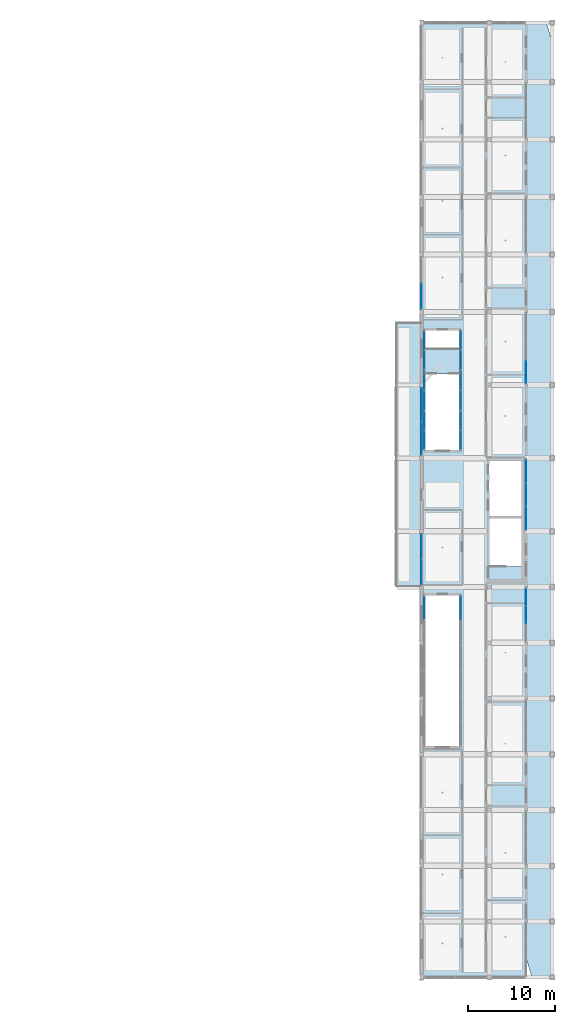
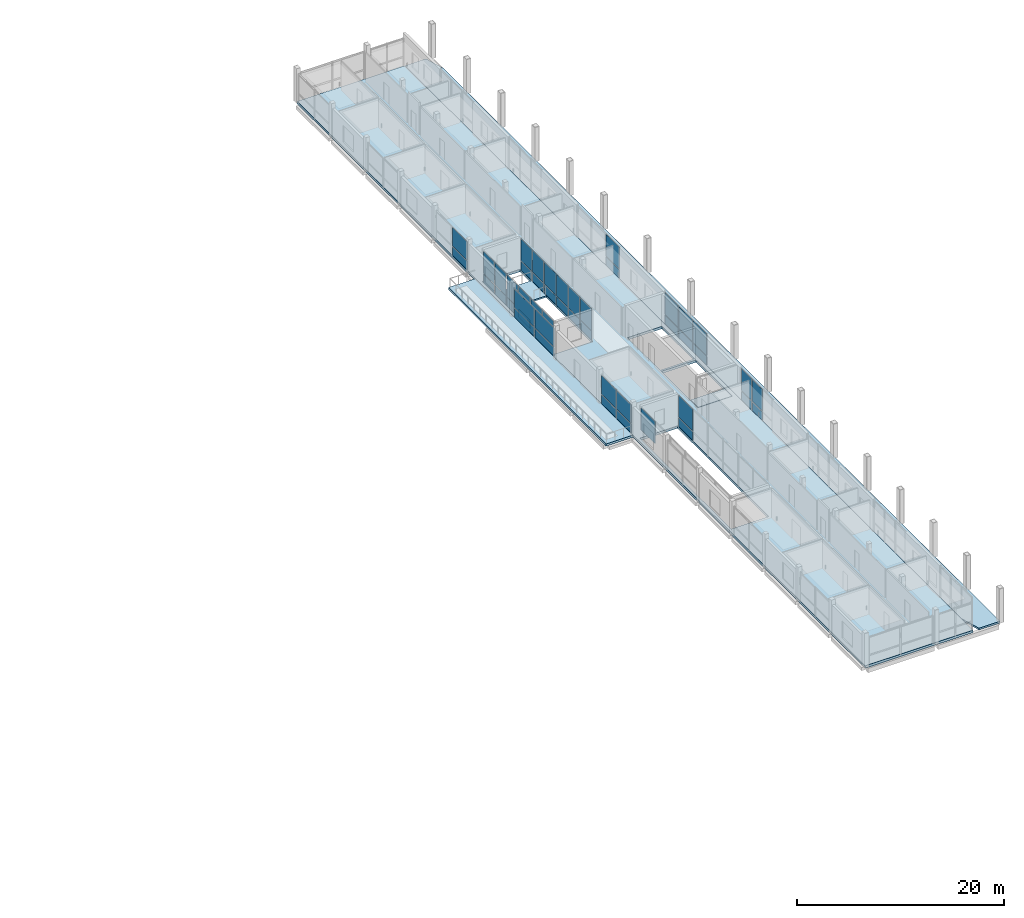
# One storey, part 20 of 48: 49 plates, 5 slabs, 14 elements without a shape of their own.
"""IFC4 building model written with IfcOpenShell, lengths in metres."""

from ifc_helpers import new_model, si_unit, derived_unit, direction, frame, origin, origin_2d, place, context, subcontext, project, spatial, polyline, rectangle, outline, extrude, material, layer, layer_set, type_object, element, aggregate, save


model = new_model("IFC4")

# Units and contexts
model_context = context("Model", 3, precision=1e-05, world=origin(), true_north=direction((0.0, 1.0)))
body_context = subcontext(model_context, "Body", "Model", "MODEL_VIEW")
ifc_project = project(units=[si_unit("LENGTHUNIT", "METRE"), si_unit("AREAUNIT", "SQUARE_METRE"), si_unit("VOLUMEUNIT", "CUBIC_METRE"), si_unit("PLANEANGLEUNIT", "RADIAN"), si_unit("MASSUNIT", "GRAM", prefix="KILO"), derived_unit("THERMALTRANSMITTANCEUNIT", [(si_unit("POWERUNIT", "WATT"), 1), (si_unit("LENGTHUNIT", "METRE"), -2), (si_unit("THERMODYNAMICTEMPERATUREUNIT", "KELVIN"), -1)])], contexts=[model_context])

# Site, building, storey
site_placement = place(None, origin())
site = spatial("IfcSite", under=ifc_project, at=site_placement, CompositionType="ELEMENT")
building_placement = place(site_placement, origin())
building = spatial("IfcBuilding", under=site, at=building_placement, Name="Braskholm Square Health Centre", CompositionType="ELEMENT")
storey_placement = place(building_placement, frame((0.0, 0.0, 17.550048828125)))
storey = spatial("IfcBuildingStorey", under=building, at=storey_placement, Name="L05", CompositionType="ELEMENT", Elevation=17.550048828125)

# Curtain wall, plates
ifc_material_1 = material(Name="Low-E triple insulating glass (VLT 0.64)", Category="glass")
curtain_wall_type_1 = type_object("IfcCurtainWallType", Name="UnitisedCurtainWall6200x3800", PredefinedType="NOTDEFINED", material=ifc_material_1)
curtain_wall_1_placement = place(storey_placement, origin())
curtain_wall_1 = element("IfcCurtainWall", 1, at=curtain_wall_1_placement, inside=storey, type_object=curtain_wall_type_1, Name="East Crown unitised curtain wall CW-L05-0079", PredefinedType="NOTDEFINED")
ifc_material_2 = material(Name="Architectural bronze anodised aluminium", Category="aluminium")
plate_type_1 = type_object("IfcPlateType", Name="CurtainPanelSpandrel1850x1020", PredefinedType="CURTAIN_PANEL", material=ifc_material_2)
plate_1_placement = place(storey_placement, frame((160.800048828125, 45.800048828125, 0.050048828125), z_axis=(0.0, 0.0, 1.0), x_axis=(0.0, 1.0, 0.0)))
plate_1 = element("IfcPlate", 2, at=plate_1_placement, type_object=plate_type_1, Name="CW-L05-0079 spandrel panel 2", PredefinedType="CURTAIN_PANEL", context=body_context, shape_type="SweptSolid", body=[
    extrude(rectangle(XDim=1.93017578125, YDim=0.035888671875, at=origin_2d()), origin(), (0.0, 0.0, 1.0), 1.02001953125),
])
plate_2_placement = place(storey_placement, frame((160.800048828125, 47.853271484375, 0.050048828125), z_axis=(0.0, 0.0, 1.0), x_axis=(0.0, 1.0, 0.0)))
plate_2 = element("IfcPlate", 3, at=plate_2_placement, type_object=plate_type_1, Name="CW-L05-0079 spandrel panel 3", PredefinedType="CURTAIN_PANEL", context=body_context, shape_type="SweptSolid", body=[
    extrude(rectangle(XDim=1.93017578125, YDim=0.035888671875, at=origin_2d()), origin(), (0.0, 0.0, 1.0), 1.02001953125),
])

curtain_wall_type_2 = type_object("IfcCurtainWallType", Name="UnitisedCurtainWall4800x3800", PredefinedType="NOTDEFINED", material=ifc_material_1)
curtain_wall_2_placement = place(storey_placement, origin())
curtain_wall_2 = element("IfcCurtainWall", 4, at=curtain_wall_2_placement, inside=storey, type_object=curtain_wall_type_2, Name="EC2 Court W unitised curtain wall CW-L05-0375", PredefinedType="NOTDEFINED")
plate_type_2 = type_object("IfcPlateType", Name="CurtainPanelSpandrel2150x1020", PredefinedType="CURTAIN_PANEL", material=ifc_material_2)
plate_3_placement = place(storey_placement, frame((149.10009765625, 65.884033203125, 0.050048828125), z_axis=(0.0, 0.0, 1.0), x_axis=(0.0, 1.0, 0.0)))
plate_3 = element("IfcPlate", 5, at=plate_3_placement, type_object=plate_type_2, Name="CW-L05-0375 spandrel panel 1", PredefinedType="CURTAIN_PANEL", context=body_context, shape_type="SweptSolid", body=[
    extrude(rectangle(XDim=2.125244140625, YDim=0.035888671875, at=origin_2d()), origin(), (0.0, 0.0, 1.0), 1.02001953125),
])
plate_4_placement = place(storey_placement, frame((149.10009765625, 68.117919921875, 0.050048828125), z_axis=(0.0, 0.0, 1.0), x_axis=(0.0, 1.0, 0.0)))
plate_4 = element("IfcPlate", 6, at=plate_4_placement, type_object=plate_type_2, Name="CW-L05-0375 spandrel panel 2", PredefinedType="CURTAIN_PANEL", context=body_context, shape_type="SweptSolid", body=[
    extrude(rectangle(XDim=2.125244140625, YDim=0.035888671875, at=origin_2d()), origin(), (0.0, 0.0, 1.0), 1.02001953125),
])

curtain_wall_3_placement = place(storey_placement, origin())
curtain_wall_3 = element("IfcCurtainWall", 7, at=curtain_wall_3_placement, inside=storey, type_object=curtain_wall_type_2, Name="EC2 Court E unitised curtain wall CW-L05-0376", PredefinedType="NOTDEFINED")
plate_5_placement = place(storey_placement, frame((153.300048828125, 68.117919921875, 0.050048828125), z_axis=(0.0, 0.0, 1.0), x_axis=(0.0, -1.0, 0.0)))
plate_5 = element("IfcPlate", 8, at=plate_5_placement, type_object=plate_type_2, Name="CW-L05-0376 spandrel panel 1", PredefinedType="CURTAIN_PANEL", context=body_context, shape_type="SweptSolid", body=[
    extrude(rectangle(XDim=2.125244140625, YDim=0.035888671875, at=origin_2d()), origin(), (0.0, 0.0, 1.0), 1.02001953125),
])
plate_6_placement = place(storey_placement, frame((153.300048828125, 65.884033203125, 0.050048828125), z_axis=(0.0, 0.0, 1.0), x_axis=(0.0, -1.0, 0.0)))
plate_6 = element("IfcPlate", 9, at=plate_6_placement, type_object=plate_type_2, Name="CW-L05-0376 spandrel panel 2", PredefinedType="CURTAIN_PANEL", context=body_context, shape_type="SweptSolid", body=[
    extrude(rectangle(XDim=2.125244140625, YDim=0.035888671875, at=origin_2d()), origin(), (0.0, 0.0, 1.0), 1.02001953125),
])

curtain_wall_4_placement = place(storey_placement, origin())
curtain_wall_4 = element("IfcCurtainWall", 10, at=curtain_wall_4_placement, inside=storey, type_object=curtain_wall_type_2, Name="EC2 Court W unitised curtain wall CW-L05-0377", PredefinedType="NOTDEFINED")
plate_7_placement = place(storey_placement, frame((149.10009765625, 70.449951171875, 0.050048828125), z_axis=(0.0, 0.0, 1.0), x_axis=(0.0, 1.0, 0.0)))
plate_7 = element("IfcPlate", 11, at=plate_7_placement, type_object=plate_type_2, Name="CW-L05-0377 spandrel panel 1", PredefinedType="CURTAIN_PANEL", context=body_context, shape_type="SweptSolid", body=[
    extrude(rectangle(XDim=2.188232421875, YDim=0.035888671875, at=origin_2d()), origin(), (0.0, 0.0, 1.0), 1.02001953125),
])
plate_8_placement = place(storey_placement, frame((149.10009765625, 72.75, 0.050048828125), z_axis=(0.0, 0.0, 1.0), x_axis=(0.0, 1.0, 0.0)))
plate_8 = element("IfcPlate", 12, at=plate_8_placement, type_object=plate_type_2, Name="CW-L05-0377 spandrel panel 2", PredefinedType="CURTAIN_PANEL", context=body_context, shape_type="SweptSolid", body=[
    extrude(rectangle(XDim=2.188232421875, YDim=0.035888671875, at=origin_2d()), origin(), (0.0, 0.0, 1.0), 1.02001953125),
])

curtain_wall_5_placement = place(storey_placement, origin())
curtain_wall_5 = element("IfcCurtainWall", 13, at=curtain_wall_5_placement, inside=storey, type_object=curtain_wall_type_2, Name="EC2 Court E unitised curtain wall CW-L05-0378", PredefinedType="NOTDEFINED")
plate_9_placement = place(storey_placement, frame((153.300048828125, 72.75, 0.050048828125), z_axis=(0.0, 0.0, 1.0), x_axis=(0.0, -1.0, 0.0)))
plate_9 = element("IfcPlate", 14, at=plate_9_placement, type_object=plate_type_2, Name="CW-L05-0378 spandrel panel 1", PredefinedType="CURTAIN_PANEL", context=body_context, shape_type="SweptSolid", body=[
    extrude(rectangle(XDim=2.188232421875, YDim=0.035888671875, at=origin_2d()), origin(), (0.0, 0.0, 1.0), 1.02001953125),
])
plate_10_placement = place(storey_placement, frame((153.300048828125, 70.449951171875, 0.050048828125), z_axis=(0.0, 0.0, 1.0), x_axis=(0.0, -1.0, 0.0)))
plate_10 = element("IfcPlate", 15, at=plate_10_placement, type_object=plate_type_2, Name="CW-L05-0378 spandrel panel 2", PredefinedType="CURTAIN_PANEL", context=body_context, shape_type="SweptSolid", body=[
    extrude(rectangle(XDim=2.188232421875, YDim=0.035888671875, at=origin_2d()), origin(), (0.0, 0.0, 1.0), 1.02001953125),
])

curtain_wall_6_placement = place(storey_placement, origin())
curtain_wall_6 = element("IfcCurtainWall", 16, at=curtain_wall_6_placement, inside=storey, type_object=curtain_wall_type_2, Name="EC2 Court W unitised curtain wall CW-L05-0379", PredefinedType="NOTDEFINED")
plate_11_placement = place(storey_placement, frame((149.10009765625, 75.08203125, 0.050048828125), z_axis=(0.0, 0.0, 1.0), x_axis=(0.0, 1.0, 0.0)))
plate_11 = element("IfcPlate", 17, at=plate_11_placement, type_object=plate_type_2, Name="CW-L05-0379 spandrel panel 1", PredefinedType="CURTAIN_PANEL", context=body_context, shape_type="SweptSolid", body=[
    extrude(rectangle(XDim=2.125244140625, YDim=0.035888671875, at=origin_2d()), origin(), (0.0, 0.0, 1.0), 1.02001953125),
])
plate_12_placement = place(storey_placement, frame((149.10009765625, 77.31591796875, 0.050048828125), z_axis=(0.0, 0.0, 1.0), x_axis=(0.0, 1.0, 0.0)))
plate_12 = element("IfcPlate", 18, at=plate_12_placement, type_object=plate_type_2, Name="CW-L05-0379 spandrel panel 2", PredefinedType="CURTAIN_PANEL", context=body_context, shape_type="SweptSolid", body=[
    extrude(rectangle(XDim=2.125244140625, YDim=0.035888671875, at=origin_2d()), origin(), (0.0, 0.0, 1.0), 1.02001953125),
])

curtain_wall_7_placement = place(storey_placement, origin())
curtain_wall_7 = element("IfcCurtainWall", 19, at=curtain_wall_7_placement, inside=storey, type_object=curtain_wall_type_2, Name="EC2 Court E unitised curtain wall CW-L05-0380", PredefinedType="NOTDEFINED")
plate_13_placement = place(storey_placement, frame((153.300048828125, 77.31591796875, 0.050048828125), z_axis=(0.0, 0.0, 1.0), x_axis=(0.0, -1.0, 0.0)))
plate_13 = element("IfcPlate", 20, at=plate_13_placement, type_object=plate_type_2, Name="CW-L05-0380 spandrel panel 1", PredefinedType="CURTAIN_PANEL", context=body_context, shape_type="SweptSolid", body=[
    extrude(rectangle(XDim=2.125244140625, YDim=0.035888671875, at=origin_2d()), origin(), (0.0, 0.0, 1.0), 1.02001953125),
])
plate_14_placement = place(storey_placement, frame((153.300048828125, 75.08203125, 0.050048828125), z_axis=(0.0, 0.0, 1.0), x_axis=(0.0, -1.0, 0.0)))
plate_14 = element("IfcPlate", 21, at=plate_14_placement, type_object=plate_type_2, Name="CW-L05-0380 spandrel panel 2", PredefinedType="CURTAIN_PANEL", context=body_context, shape_type="SweptSolid", body=[
    extrude(rectangle(XDim=2.125244140625, YDim=0.035888671875, at=origin_2d()), origin(), (0.0, 0.0, 1.0), 1.02001953125),
])

curtain_wall_8_placement = place(storey_placement, origin())
curtain_wall_8 = element("IfcCurtainWall", 22, at=curtain_wall_8_placement, inside=storey, type_object=curtain_wall_type_1, Name="East Crown unitised curtain wall CW-L05-0080", PredefinedType="NOTDEFINED")
plate_type_3 = type_object("IfcPlateType", Name="CurtainPanelSpandrel2750x1020", PredefinedType="CURTAIN_PANEL", material=ifc_material_2)
plate_15_placement = place(storey_placement, frame((160.800048828125, 56.8798828125, 0.050048828125), z_axis=(0.0, 0.0, 1.0), x_axis=(0.0, 1.0, 0.0)))
plate_15 = element("IfcPlate", 23, at=plate_15_placement, type_object=plate_type_3, Name="CW-L05-0080 spandrel panel 1", PredefinedType="CURTAIN_PANEL", context=body_context, shape_type="SweptSolid", body=[
    extrude(rectangle(XDim=2.556884765625, YDim=0.035888671875, at=origin_2d()), origin(), (0.0, 0.0, 1.0), 1.02001953125),
])
plate_16_placement = place(storey_placement, frame((160.800048828125, 59.60009765625, 0.050048828125), z_axis=(0.0, 0.0, 1.0), x_axis=(0.0, 1.0, 0.0)))
plate_16 = element("IfcPlate", 24, at=plate_16_placement, type_object=plate_type_3, Name="CW-L05-0080 spandrel panel 2", PredefinedType="CURTAIN_PANEL", context=body_context, shape_type="SweptSolid", body=[
    extrude(rectangle(XDim=2.556884765625, YDim=0.035888671875, at=origin_2d()), origin(), (0.0, 0.0, 1.0), 1.02001953125),
])
plate_17_placement = place(storey_placement, frame((160.800048828125, 62.320068359375, 0.050048828125), z_axis=(0.0, 0.0, 1.0), x_axis=(0.0, 1.0, 0.0)))
plate_17 = element("IfcPlate", 25, at=plate_17_placement, type_object=plate_type_3, Name="CW-L05-0080 spandrel panel 3", PredefinedType="CURTAIN_PANEL", context=body_context, shape_type="SweptSolid", body=[
    extrude(rectangle(XDim=2.556884765625, YDim=0.035888671875, at=origin_2d()), origin(), (0.0, 0.0, 1.0), 1.02001953125),
])

# Curtain wall, plate
curtain_wall_9_placement = place(storey_placement, origin())
curtain_wall_9 = element("IfcCurtainWall", 26, at=curtain_wall_9_placement, inside=storey, type_object=curtain_wall_type_1, Name="East Crown unitised curtain wall CW-L05-0081", PredefinedType="NOTDEFINED")
plate_18_placement = place(storey_placement, frame((160.800048828125, 73.679931640625, 0.050048828125), z_axis=(0.0, 0.0, 1.0), x_axis=(0.0, 1.0, 0.0)))
plate_18 = element("IfcPlate", 27, at=plate_18_placement, type_object=plate_type_3, Name="CW-L05-0081 spandrel panel 1", PredefinedType="CURTAIN_PANEL", context=body_context, shape_type="SweptSolid", body=[
    extrude(rectangle(XDim=2.556884765625, YDim=0.035888671875, at=origin_2d()), origin(), (0.0, 0.0, 1.0), 1.02001953125),
])

# Curtain wall, plates
curtain_wall_type_3 = type_object("IfcCurtainWallType", Name="UnitisedCurtainWall6200x3650", PredefinedType="NOTDEFINED", material=ifc_material_1)
curtain_wall_10_placement = place(storey_placement, origin())
curtain_wall_10 = element("IfcCurtainWall", 28, at=curtain_wall_10_placement, inside=storey, type_object=curtain_wall_type_3, Name="East Valley unitised curtain wall CW-L05-0140", PredefinedType="NOTDEFINED")
plate_19_placement = place(storey_placement, frame((148.800048828125, 53.662109375, 0.050048828125), z_axis=(0.0, 0.0, 1.0), x_axis=(0.0, -1.0, 0.0)))
plate_19 = element("IfcPlate", 29, at=plate_19_placement, type_object=plate_type_3, Name="CW-L05-0140 spandrel panel 1", PredefinedType="CURTAIN_PANEL", context=body_context, shape_type="SweptSolid", body=[
    extrude(rectangle(XDim=2.782470703125, YDim=0.035888671875, at=origin_2d()), origin(), (0.0, 0.0, 1.0), 1.02001953125),
])
plate_20_placement = place(storey_placement, frame((148.800048828125, 50.73779296875, 0.050048828125), z_axis=(0.0, 0.0, 1.0), x_axis=(0.0, -1.0, 0.0)))
plate_20 = element("IfcPlate", 30, at=plate_20_placement, type_object=plate_type_3, Name="CW-L05-0140 spandrel panel 2", PredefinedType="CURTAIN_PANEL", context=body_context, shape_type="SweptSolid", body=[
    extrude(rectangle(XDim=2.782470703125, YDim=0.035888671875, at=origin_2d()), origin(), (0.0, 0.0, 1.0), 1.02001953125),
])

# Curtain wall, plate
curtain_wall_11_placement = place(storey_placement, origin())
curtain_wall_11 = element("IfcCurtainWall", 31, at=curtain_wall_11_placement, inside=storey, type_object=curtain_wall_type_3, Name="East Valley unitised curtain wall CW-L05-0142", PredefinedType="NOTDEFINED")
plate_21_placement = place(storey_placement, frame((148.800048828125, 82.388427734375, 0.050048828125), z_axis=(0.0, 0.0, 1.0), x_axis=(0.0, -1.0, 0.0)))
plate_21 = element("IfcPlate", 32, at=plate_21_placement, type_object=plate_type_3, Name="CW-L05-0142 spandrel panel 2", PredefinedType="CURTAIN_PANEL", context=body_context, shape_type="SweptSolid", body=[
    extrude(rectangle(XDim=2.87646484375, YDim=0.035888671875, at=origin_2d()), origin(), (0.0, 0.0, 1.0), 1.02001953125),
])

curtain_wall_type_4 = type_object("IfcCurtainWallType", Name="UnitisedCurtainWall5400x3800", PredefinedType="NOTDEFINED", material=ifc_material_1)
curtain_wall_12_placement = place(storey_placement, origin())
curtain_wall_12 = element("IfcCurtainWall", 33, at=curtain_wall_12_placement, inside=storey, type_object=curtain_wall_type_4, Name="EC1 Court E unitised curtain wall CW-L05-0350", PredefinedType="NOTDEFINED")
plate_22_placement = place(storey_placement, frame((153.300048828125, 46.6123046875, 0.050048828125), z_axis=(0.0, 0.0, 1.0), x_axis=(0.0, -1.0, 0.0)))
plate_22 = element("IfcPlate", 34, at=plate_22_placement, type_object=plate_type_3, Name="CW-L05-0350 spandrel panel 1", PredefinedType="CURTAIN_PANEL", context=body_context, shape_type="SweptSolid", body=[
    extrude(rectangle(XDim=2.689208984375, YDim=0.035888671875, at=origin_2d()), origin(), (0.0, 0.0, 1.0), 1.02001953125),
])

# Curtain wall, plates
curtain_wall_13_placement = place(storey_placement, origin())
curtain_wall_13 = element("IfcCurtainWall", 35, at=curtain_wall_13_placement, inside=storey, type_object=curtain_wall_type_3, Name="East Valley unitised curtain wall CW-L05-0141", PredefinedType="NOTDEFINED")
plate_type_4 = type_object("IfcPlateType", Name="CurtainPanelSpandrel3150x1020", PredefinedType="CURTAIN_PANEL", material=ifc_material_2)
plate_23_placement = place(storey_placement, frame((148.800048828125, 69.956298828125, 0.050048828125), z_axis=(0.0, 0.0, 1.0), x_axis=(0.0, -1.0, 0.0)))
plate_23 = element("IfcPlate", 36, at=plate_23_placement, type_object=plate_type_4, Name="CW-L05-0141 spandrel panel 1", PredefinedType="CURTAIN_PANEL", context=body_context, shape_type="SweptSolid", body=[
    extrude(rectangle(XDim=3.722412109375, YDim=0.035888671875, at=origin_2d()), origin(), (0.0, 0.0, 1.0), 1.02001953125),
])
plate_24_placement = place(storey_placement, frame((148.800048828125, 66.043701171875, 0.050048828125), z_axis=(0.0, 0.0, 1.0), x_axis=(0.0, -1.0, 0.0)))
plate_24 = element("IfcPlate", 37, at=plate_24_placement, type_object=plate_type_4, Name="CW-L05-0141 spandrel panel 2", PredefinedType="CURTAIN_PANEL", context=body_context, shape_type="SweptSolid", body=[
    extrude(rectangle(XDim=3.722412109375, YDim=0.035888671875, at=origin_2d()), origin(), (0.0, 0.0, 1.0), 1.02001953125),
])

# Plate
plate_type_5 = type_object("IfcPlateType", Name="CurtainPanelVision1850x2520", PredefinedType="CURTAIN_PANEL", material=ifc_material_1)
plate_25_placement = place(storey_placement, frame((160.800048828125, 45.800048828125, 1.169921875), z_axis=(0.0, 0.0, 1.0), x_axis=(0.0, 1.0, 0.0)))
plate_25 = element("IfcPlate", 38, at=plate_25_placement, type_object=plate_type_5, Name="CW-L05-0079 vision glass panel 2", PredefinedType="CURTAIN_PANEL", context=body_context, shape_type="SweptSolid", body=[
    extrude(rectangle(XDim=1.93017578125, YDim=0.035888671875, at=origin_2d()), origin(), (0.0, 0.0, 1.0), 2.56005859375),
])

plate_26_placement = place(storey_placement, frame((160.800048828125, 47.853271484375, 1.169921875), z_axis=(0.0, 0.0, 1.0), x_axis=(0.0, 1.0, 0.0)))
plate_26 = element("IfcPlate", 39, at=plate_26_placement, type_object=plate_type_5, Name="CW-L05-0079 vision glass panel 3", PredefinedType="CURTAIN_PANEL", context=body_context, shape_type="SweptSolid", body=[
    extrude(rectangle(XDim=1.93017578125, YDim=0.035888671875, at=origin_2d()), origin(), (0.0, 0.0, 1.0), 2.56005859375),
])

aggregate(curtain_wall_1, [plate_1, plate_25, plate_2, plate_26])

plate_type_6 = type_object("IfcPlateType", Name="CurtainPanelVision2150x2520", PredefinedType="CURTAIN_PANEL", material=ifc_material_1)
plate_27_placement = place(storey_placement, frame((149.10009765625, 65.884033203125, 1.169921875), z_axis=(0.0, 0.0, 1.0), x_axis=(0.0, 1.0, 0.0)))
plate_27 = element("IfcPlate", 40, at=plate_27_placement, type_object=plate_type_6, Name="CW-L05-0375 vision glass panel 1", PredefinedType="CURTAIN_PANEL", context=body_context, shape_type="SweptSolid", body=[
    extrude(rectangle(XDim=2.125244140625, YDim=0.035888671875, at=origin_2d()), origin(), (0.0, 0.0, 1.0), 2.56005859375),
])

plate_28_placement = place(storey_placement, frame((149.10009765625, 68.117919921875, 1.169921875), z_axis=(0.0, 0.0, 1.0), x_axis=(0.0, 1.0, 0.0)))
plate_28 = element("IfcPlate", 41, at=plate_28_placement, type_object=plate_type_6, Name="CW-L05-0375 vision glass panel 2", PredefinedType="CURTAIN_PANEL", context=body_context, shape_type="SweptSolid", body=[
    extrude(rectangle(XDim=2.125244140625, YDim=0.035888671875, at=origin_2d()), origin(), (0.0, 0.0, 1.0), 2.56005859375),
])

aggregate(curtain_wall_2, [plate_3, plate_27, plate_4, plate_28])

plate_29_placement = place(storey_placement, frame((153.300048828125, 68.117919921875, 1.169921875), z_axis=(0.0, 0.0, 1.0), x_axis=(0.0, -1.0, 0.0)))
plate_29 = element("IfcPlate", 42, at=plate_29_placement, type_object=plate_type_6, Name="CW-L05-0376 vision glass panel 1", PredefinedType="CURTAIN_PANEL", context=body_context, shape_type="SweptSolid", body=[
    extrude(rectangle(XDim=2.125244140625, YDim=0.035888671875, at=origin_2d()), origin(), (0.0, 0.0, 1.0), 2.56005859375),
])

plate_30_placement = place(storey_placement, frame((153.300048828125, 65.884033203125, 1.169921875), z_axis=(0.0, 0.0, 1.0), x_axis=(0.0, -1.0, 0.0)))
plate_30 = element("IfcPlate", 43, at=plate_30_placement, type_object=plate_type_6, Name="CW-L05-0376 vision glass panel 2", PredefinedType="CURTAIN_PANEL", context=body_context, shape_type="SweptSolid", body=[
    extrude(rectangle(XDim=2.125244140625, YDim=0.035888671875, at=origin_2d()), origin(), (0.0, 0.0, 1.0), 2.56005859375),
])

aggregate(curtain_wall_3, [plate_5, plate_29, plate_6, plate_30])

plate_31_placement = place(storey_placement, frame((149.10009765625, 70.449951171875, 1.169921875), z_axis=(0.0, 0.0, 1.0), x_axis=(0.0, 1.0, 0.0)))
plate_31 = element("IfcPlate", 44, at=plate_31_placement, type_object=plate_type_6, Name="CW-L05-0377 vision glass panel 1", PredefinedType="CURTAIN_PANEL", context=body_context, shape_type="SweptSolid", body=[
    extrude(rectangle(XDim=2.188232421875, YDim=0.035888671875, at=origin_2d()), origin(), (0.0, 0.0, 1.0), 2.56005859375),
])

plate_32_placement = place(storey_placement, frame((149.10009765625, 72.75, 1.169921875), z_axis=(0.0, 0.0, 1.0), x_axis=(0.0, 1.0, 0.0)))
plate_32 = element("IfcPlate", 45, at=plate_32_placement, type_object=plate_type_6, Name="CW-L05-0377 vision glass panel 2", PredefinedType="CURTAIN_PANEL", context=body_context, shape_type="SweptSolid", body=[
    extrude(rectangle(XDim=2.188232421875, YDim=0.035888671875, at=origin_2d()), origin(), (0.0, 0.0, 1.0), 2.56005859375),
])

aggregate(curtain_wall_4, [plate_7, plate_31, plate_8, plate_32])

plate_33_placement = place(storey_placement, frame((153.300048828125, 72.75, 1.169921875), z_axis=(0.0, 0.0, 1.0), x_axis=(0.0, -1.0, 0.0)))
plate_33 = element("IfcPlate", 46, at=plate_33_placement, type_object=plate_type_6, Name="CW-L05-0378 vision glass panel 1", PredefinedType="CURTAIN_PANEL", context=body_context, shape_type="SweptSolid", body=[
    extrude(rectangle(XDim=2.188232421875, YDim=0.035888671875, at=origin_2d()), origin(), (0.0, 0.0, 1.0), 2.56005859375),
])

plate_34_placement = place(storey_placement, frame((153.300048828125, 70.449951171875, 1.169921875), z_axis=(0.0, 0.0, 1.0), x_axis=(0.0, -1.0, 0.0)))
plate_34 = element("IfcPlate", 47, at=plate_34_placement, type_object=plate_type_6, Name="CW-L05-0378 vision glass panel 2", PredefinedType="CURTAIN_PANEL", context=body_context, shape_type="SweptSolid", body=[
    extrude(rectangle(XDim=2.188232421875, YDim=0.035888671875, at=origin_2d()), origin(), (0.0, 0.0, 1.0), 2.56005859375),
])

aggregate(curtain_wall_5, [plate_9, plate_33, plate_10, plate_34])

plate_35_placement = place(storey_placement, frame((149.10009765625, 75.08203125, 1.169921875), z_axis=(0.0, 0.0, 1.0), x_axis=(0.0, 1.0, 0.0)))
plate_35 = element("IfcPlate", 48, at=plate_35_placement, type_object=plate_type_6, Name="CW-L05-0379 vision glass panel 1", PredefinedType="CURTAIN_PANEL", context=body_context, shape_type="SweptSolid", body=[
    extrude(rectangle(XDim=2.125244140625, YDim=0.035888671875, at=origin_2d()), origin(), (0.0, 0.0, 1.0), 2.56005859375),
])

plate_36_placement = place(storey_placement, frame((149.10009765625, 77.31591796875, 1.169921875), z_axis=(0.0, 0.0, 1.0), x_axis=(0.0, 1.0, 0.0)))
plate_36 = element("IfcPlate", 49, at=plate_36_placement, type_object=plate_type_6, Name="CW-L05-0379 vision glass panel 2", PredefinedType="CURTAIN_PANEL", context=body_context, shape_type="SweptSolid", body=[
    extrude(rectangle(XDim=2.125244140625, YDim=0.035888671875, at=origin_2d()), origin(), (0.0, 0.0, 1.0), 2.56005859375),
])

aggregate(curtain_wall_6, [plate_11, plate_35, plate_12, plate_36])

plate_37_placement = place(storey_placement, frame((153.300048828125, 77.31591796875, 1.169921875), z_axis=(0.0, 0.0, 1.0), x_axis=(0.0, -1.0, 0.0)))
plate_37 = element("IfcPlate", 50, at=plate_37_placement, type_object=plate_type_6, Name="CW-L05-0380 vision glass panel 1", PredefinedType="CURTAIN_PANEL", context=body_context, shape_type="SweptSolid", body=[
    extrude(rectangle(XDim=2.125244140625, YDim=0.035888671875, at=origin_2d()), origin(), (0.0, 0.0, 1.0), 2.56005859375),
])

plate_38_placement = place(storey_placement, frame((153.300048828125, 75.08203125, 1.169921875), z_axis=(0.0, 0.0, 1.0), x_axis=(0.0, -1.0, 0.0)))
plate_38 = element("IfcPlate", 51, at=plate_38_placement, type_object=plate_type_6, Name="CW-L05-0380 vision glass panel 2", PredefinedType="CURTAIN_PANEL", context=body_context, shape_type="SweptSolid", body=[
    extrude(rectangle(XDim=2.125244140625, YDim=0.035888671875, at=origin_2d()), origin(), (0.0, 0.0, 1.0), 2.56005859375),
])

aggregate(curtain_wall_7, [plate_13, plate_37, plate_14, plate_38])

plate_type_7 = type_object("IfcPlateType", Name="CurtainPanelVision2750x2120", PredefinedType="CURTAIN_PANEL", material=ifc_material_1)
plate_39_placement = place(storey_placement, frame((148.800048828125, 53.662109375, 1.169921875), z_axis=(0.0, 0.0, 1.0), x_axis=(0.0, -1.0, 0.0)))
plate_39 = element("IfcPlate", 52, at=plate_39_placement, type_object=plate_type_7, Name="CW-L05-0140 vision glass panel 1", PredefinedType="CURTAIN_PANEL", context=body_context, shape_type="SweptSolid", body=[
    extrude(rectangle(XDim=2.782470703125, YDim=0.035888671875, at=origin_2d()), origin(), (0.0, 0.0, 1.0), 2.179931640625),
])

plate_40_placement = place(storey_placement, frame((148.800048828125, 50.73779296875, 1.169921875), z_axis=(0.0, 0.0, 1.0), x_axis=(0.0, -1.0, 0.0)))
plate_40 = element("IfcPlate", 53, at=plate_40_placement, type_object=plate_type_7, Name="CW-L05-0140 vision glass panel 2", PredefinedType="CURTAIN_PANEL", context=body_context, shape_type="SweptSolid", body=[
    extrude(rectangle(XDim=2.782470703125, YDim=0.035888671875, at=origin_2d()), origin(), (0.0, 0.0, 1.0), 2.179931640625),
])

aggregate(curtain_wall_10, [plate_19, plate_39, plate_20, plate_40])

plate_41_placement = place(storey_placement, frame((148.800048828125, 82.388427734375, 1.169921875), z_axis=(0.0, 0.0, 1.0), x_axis=(0.0, -1.0, 0.0)))
plate_41 = element("IfcPlate", 54, at=plate_41_placement, type_object=plate_type_7, Name="CW-L05-0142 vision glass panel 2", PredefinedType="CURTAIN_PANEL", context=body_context, shape_type="SweptSolid", body=[
    extrude(rectangle(XDim=2.87646484375, YDim=0.035888671875, at=origin_2d()), origin(), (0.0, 0.0, 1.0), 2.179931640625),
])

aggregate(curtain_wall_11, [plate_21, plate_41])

plate_type_8 = type_object("IfcPlateType", Name="CurtainPanelVision2750x2520", PredefinedType="CURTAIN_PANEL", material=ifc_material_1)
plate_42_placement = place(storey_placement, frame((160.800048828125, 56.8798828125, 1.169921875), z_axis=(0.0, 0.0, 1.0), x_axis=(0.0, 1.0, 0.0)))
plate_42 = element("IfcPlate", 55, at=plate_42_placement, type_object=plate_type_8, Name="CW-L05-0080 vision glass panel 1", PredefinedType="CURTAIN_PANEL", context=body_context, shape_type="SweptSolid", body=[
    extrude(rectangle(XDim=2.556884765625, YDim=0.035888671875, at=origin_2d()), origin(), (0.0, 0.0, 1.0), 2.56005859375),
])

plate_43_placement = place(storey_placement, frame((160.800048828125, 59.60009765625, 1.169921875), z_axis=(0.0, 0.0, 1.0), x_axis=(0.0, 1.0, 0.0)))
plate_43 = element("IfcPlate", 56, at=plate_43_placement, type_object=plate_type_8, Name="CW-L05-0080 vision glass panel 2", PredefinedType="CURTAIN_PANEL", context=body_context, shape_type="SweptSolid", body=[
    extrude(rectangle(XDim=2.556884765625, YDim=0.035888671875, at=origin_2d()), origin(), (0.0, 0.0, 1.0), 2.56005859375),
])

plate_44_placement = place(storey_placement, frame((160.800048828125, 62.320068359375, 1.169921875), z_axis=(0.0, 0.0, 1.0), x_axis=(0.0, 1.0, 0.0)))
plate_44 = element("IfcPlate", 57, at=plate_44_placement, type_object=plate_type_8, Name="CW-L05-0080 vision glass panel 3", PredefinedType="CURTAIN_PANEL", context=body_context, shape_type="SweptSolid", body=[
    extrude(rectangle(XDim=2.556884765625, YDim=0.035888671875, at=origin_2d()), origin(), (0.0, 0.0, 1.0), 2.56005859375),
])

aggregate(curtain_wall_8, [plate_15, plate_42, plate_16, plate_43, plate_17, plate_44])

plate_45_placement = place(storey_placement, frame((160.800048828125, 73.679931640625, 1.169921875), z_axis=(0.0, 0.0, 1.0), x_axis=(0.0, 1.0, 0.0)))
plate_45 = element("IfcPlate", 58, at=plate_45_placement, type_object=plate_type_8, Name="CW-L05-0081 vision glass panel 1", PredefinedType="CURTAIN_PANEL", context=body_context, shape_type="SweptSolid", body=[
    extrude(rectangle(XDim=2.556884765625, YDim=0.035888671875, at=origin_2d()), origin(), (0.0, 0.0, 1.0), 2.56005859375),
])

aggregate(curtain_wall_9, [plate_18, plate_45])

# Curtain wall, plate
curtain_wall_14_placement = place(storey_placement, origin())
curtain_wall_14 = element("IfcCurtainWall", 59, at=curtain_wall_14_placement, inside=storey, type_object=curtain_wall_type_4, Name="EC1 Court W unitised curtain wall CW-L05-0349", PredefinedType="NOTDEFINED")
plate_46_placement = place(storey_placement, frame((149.10009765625, 46.6123046875, 1.169921875), z_axis=(0.0, 0.0, 1.0), x_axis=(0.0, 1.0, 0.0)))
plate_46 = element("IfcPlate", 60, at=plate_46_placement, type_object=plate_type_8, Name="CW-L05-0349 vision glass panel 2", PredefinedType="CURTAIN_PANEL", context=body_context, shape_type="SweptSolid", body=[
    extrude(rectangle(XDim=2.689208984375, YDim=0.035888671875, at=origin_2d()), origin(), (0.0, 0.0, 1.0), 2.56005859375),
])
aggregate(curtain_wall_14, [plate_46])

# Plate
plate_47_placement = place(storey_placement, frame((153.300048828125, 46.6123046875, 1.169921875), z_axis=(0.0, 0.0, 1.0), x_axis=(0.0, -1.0, 0.0)))
plate_47 = element("IfcPlate", 61, at=plate_47_placement, type_object=plate_type_8, Name="CW-L05-0350 vision glass panel 1", PredefinedType="CURTAIN_PANEL", context=body_context, shape_type="SweptSolid", body=[
    extrude(rectangle(XDim=2.689208984375, YDim=0.035888671875, at=origin_2d()), origin(), (0.0, 0.0, 1.0), 2.56005859375),
])

aggregate(curtain_wall_12, [plate_22, plate_47])

plate_type_9 = type_object("IfcPlateType", Name="CurtainPanelVision3150x2120", PredefinedType="CURTAIN_PANEL", material=ifc_material_1)
plate_48_placement = place(storey_placement, frame((148.800048828125, 69.956298828125, 1.169921875), z_axis=(0.0, 0.0, 1.0), x_axis=(0.0, -1.0, 0.0)))
plate_48 = element("IfcPlate", 62, at=plate_48_placement, type_object=plate_type_9, Name="CW-L05-0141 vision glass panel 1", PredefinedType="CURTAIN_PANEL", context=body_context, shape_type="SweptSolid", body=[
    extrude(rectangle(XDim=3.722412109375, YDim=0.035888671875, at=origin_2d()), origin(), (0.0, 0.0, 1.0), 2.179931640625),
])

plate_49_placement = place(storey_placement, frame((148.800048828125, 66.043701171875, 1.169921875), z_axis=(0.0, 0.0, 1.0), x_axis=(0.0, -1.0, 0.0)))
plate_49 = element("IfcPlate", 63, at=plate_49_placement, type_object=plate_type_9, Name="CW-L05-0141 vision glass panel 2", PredefinedType="CURTAIN_PANEL", context=body_context, shape_type="SweptSolid", body=[
    extrude(rectangle(XDim=3.722412109375, YDim=0.035888671875, at=origin_2d()), origin(), (0.0, 0.0, 1.0), 2.179931640625),
])

aggregate(curtain_wall_13, [plate_23, plate_48, plate_24, plate_49])

# Slabs
ifc_material_3 = material(Name="Precast concrete C40/50 architectural white", Category="concrete")
ifc_layer_1 = layer(ifc_material_3, 0.2099609375)
ifc_layer_set_1 = layer_set([ifc_layer_1], Name="Precast concrete C40/50 architectural white")
slab_type_1 = type_object("IfcSlabType", Name="PitchedAndCrownRoofSlab150", PredefinedType="ROOF", material=ifc_layer_set_1)
slab_1_placement = place(storey_placement, frame((0.0, 0.0, -0.2099609375)))
element("IfcSlab", 64, at=slab_1_placement, inside=storey, type_object=slab_type_1, Name="Level L05 East outer colonnade gallery roof ledge", PredefinedType="ROOF", context=body_context, shape_type="SweptSolid", body=[
    extrude(outline(polyline([(161.4599609375, 4.199951171875), (163.800048828125, 4.199951171875), (163.800048828125, 111.60009765625), (163.139892578125, 113.800048828125), (160.800048828125, 113.800048828125), (160.800048828125, 6.39990234375), (161.4599609375, 4.199951171875)])), origin(), (0.0, 0.0, 1.0), 0.2099609375),
])
ifc_material_4 = material(Name="Concrete C35/45 (f'c = 35 MPa)", Category="concrete")
ifc_layer_2 = layer(ifc_material_4, 0.25)
ifc_layer_set_2 = layer_set([ifc_layer_2], Name="Concrete C35/45 (f'c = 35 MPa)")
slab_type_2 = type_object("IfcSlabType", Name="PlantedTerraceRoofSlab250", PredefinedType="ROOF", material=ifc_layer_set_2)
slab_2_placement = place(storey_placement, frame((0.0, 0.0, -0.25)))
element("IfcSlab", 65, at=slab_2_placement, inside=storey, type_object=slab_type_2, Name="Level L05 East Green Valley Step 3 planted therapy terrace slab", PredefinedType="ROOF", context=body_context, shape_type="SweptSolid", body=[
    extrude(outline(polyline([(145.800048828125, 49.0), (148.800048828125, 49.0), (148.800048828125, 79.39990234375), (145.800048828125, 79.39990234375), (145.800048828125, 49.0)])), origin(), (0.0, 0.0, 1.0), 0.25),
])
ifc_layer_3 = layer(ifc_material_4, 0.179931640625)
ifc_layer_set_3 = layer_set([ifc_layer_3], Name="Concrete C35/45 (f'c = 35 MPa)")
slab_type_3 = type_object("IfcSlabType", Name="StairLandingSlab180", PredefinedType="LANDING", material=ifc_layer_set_3)
slab_3_placement = place(storey_placement, frame((0.0, 0.0, -0.179931640625)))
element("IfcSlab", 66, at=slab_3_placement, inside=storey, type_object=slab_type_3, Name="Stair ST-04 top arrival landing L05", PredefinedType="LANDING", context=body_context, shape_type="SweptSolid", body=[
    extrude(outline(polyline([(156.550048828125, 49.89990234375), (160.35009765625, 49.89990234375), (160.35009765625, 51.360107421875), (156.550048828125, 51.360107421875), (156.550048828125, 49.89990234375)])), origin(), (0.0, 0.0, 1.0), 0.179931640625),
])
slab_4_placement = place(storey_placement, frame((0.0, 0.0, -0.179931640625)))
element("IfcSlab", 67, at=slab_4_placement, inside=storey, type_object=slab_type_3, Name="Atrium feature stair landing SLAB-LND-COURT-E2", PredefinedType="LANDING", context=body_context, shape_type="SweptSolid", body=[
    extrude(outline(polyline([(149.10009765625, 73.469970703125), (153.300048828125, 73.469970703125), (153.300048828125, 76.39990234375), (149.10009765625, 76.39990234375), (149.10009765625, 73.469970703125)])), origin(), (0.0, 0.0, 1.0), 0.179931640625),
])
ifc_layer_4 = layer(ifc_material_4, 0.280029296875)
ifc_layer_set_4 = layer_set([ifc_layer_4], Name="Concrete C35/45 (f'c = 35 MPa)")
slab_type_4 = type_object("IfcSlabType", Name="UpperCrownFlatSlab280", PredefinedType="FLOOR", material=ifc_layer_set_4)
slab_5_placement = place(storey_placement, frame((0.0, 0.0, -0.280029296875)))
element("IfcSlab", 68, at=slab_5_placement, inside=storey, type_object=slab_type_4, Name="Level L05 V4E East set-back top floor slab", PredefinedType="FLOOR", context=body_context, shape_type="SweptSolid", body=[
    extrude(outline(polyline([(148.800048828125, 4.199951171875), (160.800048828125, 4.199951171875), (160.800048828125, 113.800048828125), (148.800048828125, 113.800048828125), (148.800048828125, 4.199951171875)]), holes=[polyline([(156.530029296875, 49.8798828125), (160.3701171875, 49.8798828125), (160.3701171875, 56.919921875), (156.530029296875, 56.919921875), (156.530029296875, 49.8798828125)]), polyline([(156.530029296875, 57.14990234375), (160.3701171875, 57.14990234375), (160.3701171875, 63.449951171875), (156.530029296875, 63.449951171875), (156.530029296875, 57.14990234375)]), polyline([(149.10009765625, 30.60009765625), (153.300048828125, 30.60009765625), (153.300048828125, 48.199951171875), (149.10009765625, 48.199951171875), (149.10009765625, 30.60009765625)]), polyline([(149.10009765625, 64.60009765625), (153.300048828125, 64.60009765625), (153.300048828125, 78.60009765625), (149.10009765625, 78.60009765625), (149.10009765625, 64.60009765625)])]), origin(), (0.0, 0.0, 1.0), 0.280029296875),
])

save(model, "model.ifc")
